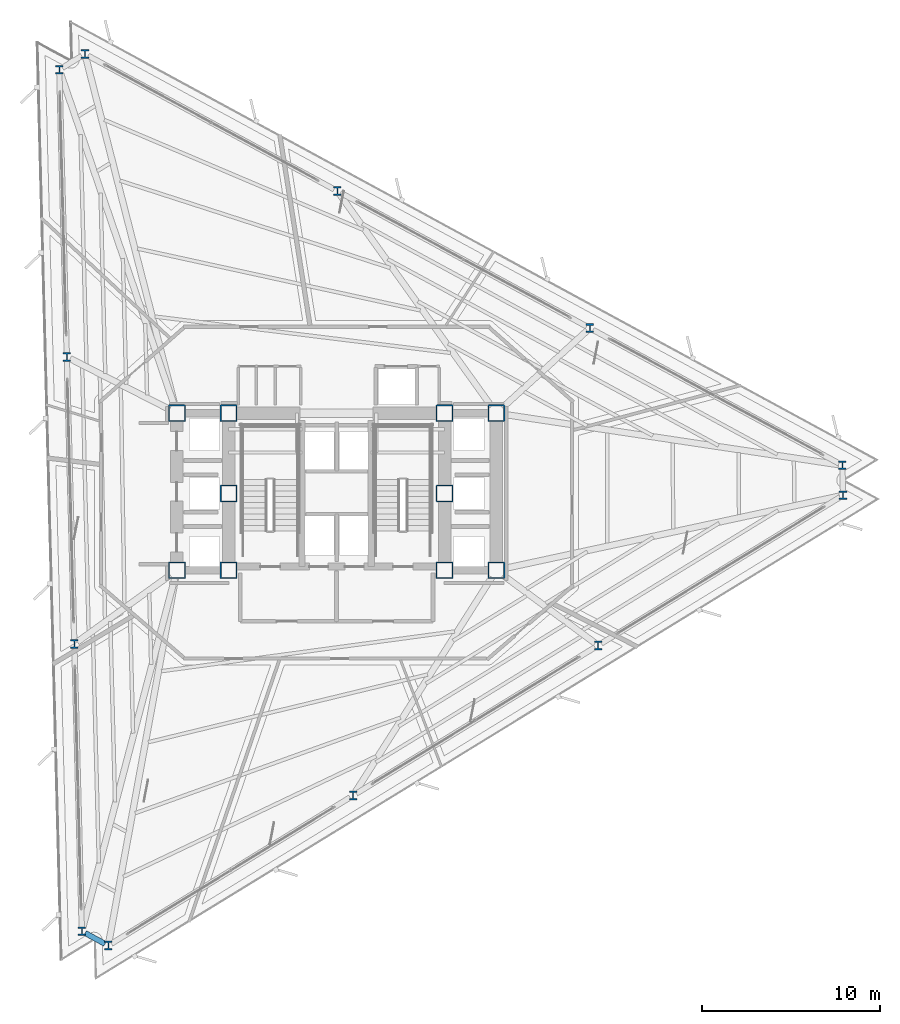
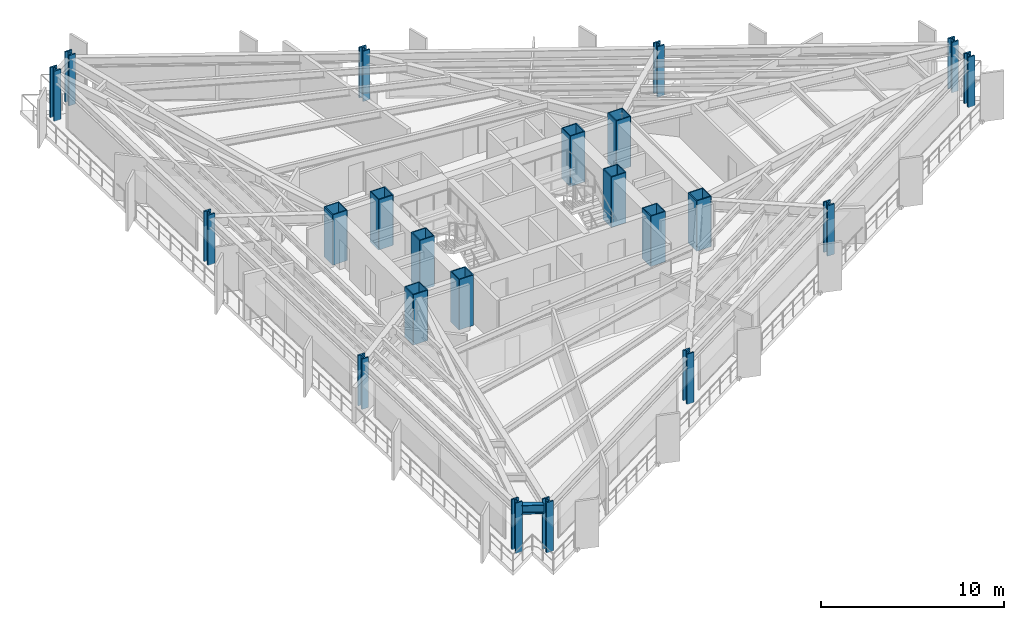
# One storey, part 1 of 14: 22 columns, 1 beam.
"""IFC4 building model written with IfcOpenShell, lengths in metres."""

from ifc_helpers import new_model, si_unit, direction, frame, origin, origin_2d, place, context, subcontext, project, spatial, hollow_rectangle, i_section, extrude, material, material_profile, profile_set, type_object, element, save


model = new_model("IFC4")

# Units and contexts
model_context = context("Model", 3, precision=1e-05, world=origin(), true_north=direction((0.0, 1.0)))
body_context = subcontext(model_context, "Body", "Model", "MODEL_VIEW")
ifc_project = project(units=[si_unit("LENGTHUNIT", "METRE"), si_unit("AREAUNIT", "SQUARE_METRE"), si_unit("VOLUMEUNIT", "CUBIC_METRE"), si_unit("PLANEANGLEUNIT", "RADIAN"), si_unit("MASSUNIT", "GRAM", prefix="KILO")], contexts=[model_context])

# Site, building, storey
site_placement = place(None, origin())
site = spatial("IfcSite", under=ifc_project, at=site_placement, CompositionType="ELEMENT")
building_placement = place(site_placement, origin())
building = spatial("IfcBuilding", under=site, at=building_placement, Name="Rocaltana Carrier Exchange", CompositionType="ELEMENT")
storey_placement = place(building_placement, frame((0.0, 0.0, 28.9599609375)))
storey = spatial("IfcBuildingStorey", under=building, at=storey_placement, Name="L09", CompositionType="ELEMENT", Elevation=28.9599609375)

# Columns
ifc_material_1 = material(Name="Steel S460", Category="steel")
ifc_material_profile_1 = material_profile(ifc_material_1, hollow_rectangle(XDim=0.949951171875, YDim=0.949951171875, WallThickness=0.06005859375, InnerFilletRadius=0.02001953125, OuterFilletRadius=0.0400390625, at=origin_2d()), Name="BOX950X950X60")
ifc_profile_set_1 = profile_set([ifc_material_profile_1], Name="Steel S460")
column_type_1 = type_object("IfcColumnType", Name="Core Mega-Column BOX950", PredefinedType="COLUMN", material=ifc_profile_set_1)
for number, where, z_axis, x_axis, name in (
    (1, (-6.050048828125, 4.5, 0.0), (0.0, 0.0, 1.0), (1.0, 0.0, 0.0), "L09 Core Mega-Column MC1"),
    (2, (6.050048828125, 4.5, 0.0), (0.0, 0.0, 1.0), (1.0, 0.0, 0.0), "L09 Core Mega-Column MC2"),
    (3, (-6.050048828125, 0.0, 0.0), (0.0, 0.0, 1.0), (1.0, 0.0, 0.0), "L09 Core Mega-Column MC3"),
    (4, (6.050048828125, 0.0, 0.0), (0.0, 0.0, 1.0), (1.0, 0.0, 0.0), "L09 Core Mega-Column MC4"),
    (5, (-6.050048828125, -4.300048828125, 0.0), (0.0, 0.0, 1.0), (1.0, 0.0, 0.0), "L09 Core Mega-Column MC5"),
    (6, (6.050048828125, -4.300048828125, 0.0), (0.0, 0.0, 1.0), (1.0, 0.0, 0.0), "L09 Core Mega-Column MC6"),
    (7, (-8.949951171875, 4.5, 0.0), (0.0, 0.0, 1.0), (1.0, 0.0, 0.0), "L09 West Core Column WC1"),
    (8, (-8.949951171875, -4.300048828125, 0.0), (0.0, 0.0, 1.0), (1.0, 0.0, 0.0), "L09 West Core Column WC2"),
    (9, (8.949951171875, 4.5, 0.0), (0.0, 0.0, 1.0), (1.0, 0.0, 0.0), "L09 East Core Column EC1"),
    (10, (8.949951171875, -4.300048828125, 0.0), (0.0, 0.0, 1.0), (1.0, 0.0, 0.0), "L09 East Core Column EC2"),
):
    element("IfcColumn", number, at=place(storey_placement, frame(where, z_axis=z_axis, x_axis=x_axis)), inside=storey, type_object=column_type_1, Name=name, PredefinedType="COLUMN", context=body_context, shape_type="SweptSolid", body=[
        extrude(hollow_rectangle(XDim=0.949951171875, YDim=0.949951171875, WallThickness=0.06005859375, InnerFilletRadius=0.02001953125, OuterFilletRadius=0.0400390625, at=origin_2d()), origin(), (0.0, 0.0, 1.0), 3.360107421875),
    ])
ifc_material_2 = material(Name="Steel S460", Category="steel")
ifc_material_profile_2 = material_profile(ifc_material_2, i_section(OverallWidth=0.431884765625, OverallDepth=0.498046875, WebThickness=0.0556640625, FlangeThickness=0.0888671875, FilletRadius=0.02490234375, at=origin_2d()), Name="W14X500")
ifc_profile_set_2 = profile_set([ifc_material_profile_2], Name="Steel S460")
column_type_2 = type_object("IfcColumnType", Name="Perimeter Column W14X500", PredefinedType="COLUMN", material=ifc_profile_set_2)
for number, where, z_axis, x_axis, name in (
    (11, (28.340576171875, 1.5849609375, 0.0), (0.0, 0.0, 1.0), (1.0, 0.0, 0.0), "L09 Perimeter Column TC01"),
    (12, (14.191650390625, 9.26708984375, 0.0), (0.0, 0.0, 1.0), (1.0, 0.0, 0.0), "L09 Perimeter Column TC02"),
    (13, (0.042724609375, 16.949462890625, 0.0), (0.0, 0.0, 1.0), (1.0, 0.0, 0.0), "L09 Perimeter Column TC03"),
    (14, (-14.106201171875, 24.631591796875, 0.0), (0.0, 0.0, 1.0), (1.0, 0.0, 0.0), "L09 Perimeter Column TC04"),
    (15, (-15.54296875, 23.751220703125, 0.0), (0.0, 0.0, 1.0), (1.0, 0.0, 0.0), "L09 Perimeter Column TC05"),
    (16, (-15.121337890625, 7.65673828125, 0.0), (0.0, 0.0, 1.0), (1.0, 0.0, 0.0), "L09 Perimeter Column TC06"),
    (17, (-14.699951171875, -8.437744140625, 0.0), (0.0, 0.0, 1.0), (1.0, 0.0, 0.0), "L09 Perimeter Column TC07"),
    (18, (-14.278564453125, -24.5322265625, 0.0), (0.0, 0.0, 1.0), (1.0, 0.0, 0.0), "L09 Perimeter Column TC08"),
    (19, (-12.7978515625, -25.336181640625, 0.0), (0.0, 0.0, 1.0), (1.0, 0.0, 0.0), "L09 Perimeter Column TC09"),
    (20, (0.9296875, -16.923828125, 0.0), (0.0, 0.0, 1.0), (1.0, 0.0, 0.0), "L09 Perimeter Column TC10"),
    (21, (14.6572265625, -8.51171875, 0.0), (0.0, 0.0, 1.0), (1.0, 0.0, 0.0), "L09 Perimeter Column TC11"),
    (22, (28.384765625, -0.099609375, 0.0), (0.0, 0.0, 1.0), (1.0, 0.0, 0.0), "L09 Perimeter Column TC12"),
):
    element("IfcColumn", number, at=place(storey_placement, frame(where, z_axis=z_axis, x_axis=x_axis)), inside=storey, type_object=column_type_2, Name=name, PredefinedType="COLUMN", context=body_context, shape_type="SweptSolid", body=[
        extrude(i_section(OverallWidth=0.431884765625, OverallDepth=0.498046875, WebThickness=0.0556640625, FlangeThickness=0.0888671875, FilletRadius=0.02490234375, at=origin_2d()), origin(), (0.0, 0.0, 1.0), 3.360107421875),
    ])

# Beam
ifc_material_3 = material(Name="Steel S355", Category="steel")
ifc_material_profile_3 = material_profile(ifc_material_3, i_section(OverallWidth=0.300048828125, OverallDepth=0.60009765625, WebThickness=0.015380859375, FlangeThickness=0.030029296875, FilletRadius=0.027099609375, at=origin_2d()), Name="HEB600")
ifc_profile_set_3 = profile_set([ifc_material_profile_3], Name="Steel S355")
beam_type = type_object("IfcBeamType", Name="Spandrel Edge Beam HEB600", PredefinedType="SPANDREL", material=ifc_profile_set_3)
beam_placement = place(storey_placement, frame((-14.095703125, -24.631591796875, 2.798095703125), z_axis=(0.878871874153, -0.477057888335, 0.0), x_axis=(0.477057888335, 0.878871874153, 0.0)))
element("IfcBeam", 23, at=beam_placement, inside=storey, type_object=beam_type, Name="SP-L09-08", PredefinedType="SPANDREL", context=body_context, shape_type="SweptSolid", body=[
    extrude(i_section(OverallWidth=0.300048828125, OverallDepth=0.60009765625, WebThickness=0.015380859375, FlangeThickness=0.030029296875, FilletRadius=0.027099609375, at=origin_2d()), origin(), (0.0, 0.0, 1.0), 1.2685546875),
])

save(model, "model.ifc")
